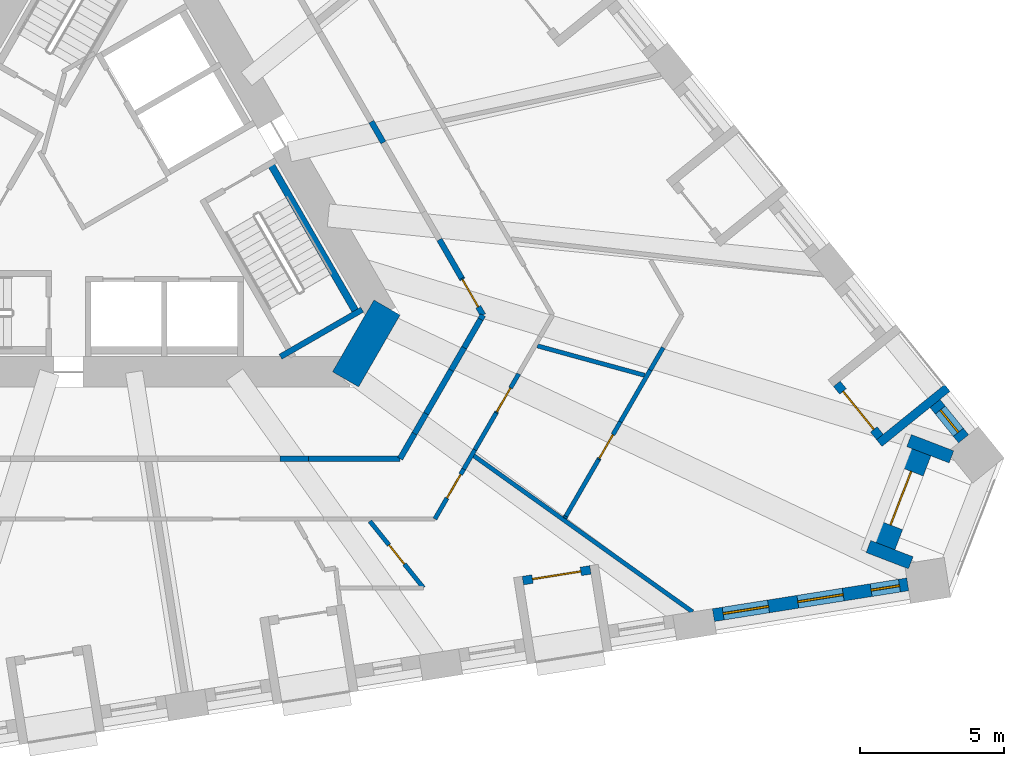
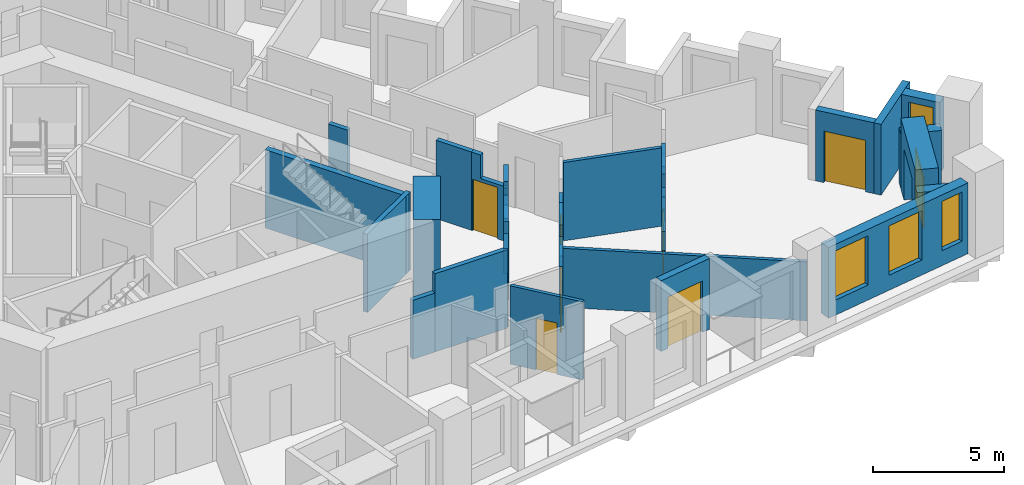
# One storey, part 6 of 14: 34 walls, 8 doors, 4 windows, 12 openings.
"""IFC4 building model written with IfcOpenShell, lengths in metres."""

from ifc_helpers import new_model, si_unit, direction, frame, frame_2d, origin, place, context, subcontext, project, spatial, polyline, rectangle, outline, extrude, material, layer, layer_set, type_object, element, fill, save


model = new_model("IFC4")

# Units and contexts
model_context = context("Model", 3, precision=1e-05, world=origin(), true_north=direction((0.0, 1.0)))
body_context = subcontext(model_context, "Body", "Model", "MODEL_VIEW")
ifc_project = project(units=[si_unit("LENGTHUNIT", "METRE"), si_unit("AREAUNIT", "SQUARE_METRE"), si_unit("VOLUMEUNIT", "CUBIC_METRE"), si_unit("PLANEANGLEUNIT", "RADIAN"), si_unit("MASSUNIT", "GRAM", prefix="KILO")], contexts=[model_context])

# Site, building, storey
site_placement = place(None, origin())
site = spatial("IfcSite", under=ifc_project, at=site_placement, CompositionType="ELEMENT")
building_placement = place(site_placement, origin())
building = spatial("IfcBuilding", under=site, at=building_placement, Name="Tramontana Tower", CompositionType="ELEMENT")
storey_placement = place(building_placement, frame((0.0, 0.0, 59.199951171875)))
storey = spatial("IfcBuildingStorey", under=building, at=storey_placement, Name="L12", CompositionType="ELEMENT", Elevation=59.199951171875)

# Walls
ifc_material_1 = material(Name="Concrete 70 MPa", Category="concrete")
ifc_layer_1 = layer(ifc_material_1, 1.050048828125)
ifc_layer_set_1 = layer_set([ifc_layer_1], Name="Core wall 1050 70 MPa")
wall_type_1 = type_object("IfcWallType", Name="Core wall 1050 70 MPa", PredefinedType="SHEAR", material=ifc_layer_set_1)
wall_1_placement = place(storey_placement, frame((8.349853515625, -6.487548828125, 0.0), z_axis=(0.0, 0.0, 1.0), x_axis=(0.499995765644, 0.866027848477, 0.0)))
element("IfcWall", 1, at=wall_1_placement, inside=storey, type_object=wall_type_1, Name="Core wall C4 L12", PredefinedType="SHEAR", context=body_context, shape_type="SweptSolid", body=[
    extrude(rectangle(XDim=2.88671875, YDim=1.050048828125, at=frame_2d((1.443359375, 0.0))), origin(), (0.0, 0.0, 1.0), 4.0),
])
ifc_material_2 = material(Name="Blockwork", Category="masonry")
ifc_layer_2 = layer(ifc_material_2, 0.199951171875)
ifc_layer_set_2 = layer_set([ifc_layer_2], Name="ENTRY WALL 200")
wall_type_2 = type_object("IfcWallType", Name="ENTRY WALL 200", PredefinedType="SOLIDWALL", material=ifc_layer_set_2)
wall_2_placement = place(storey_placement, frame((9.248046875, 2.48193359375, 0.0), z_axis=(0.0, 0.0, 1.0), x_axis=(0.500117447933, -0.865957584569, 0.0)))
element("IfcWall", 2, at=wall_2_placement, inside=storey, type_object=wall_type_2, Name="Wall v10-ew0-5", PredefinedType="SOLIDWALL", context=body_context, shape_type="SweptSolid", body=[
    extrude(rectangle(XDim=0.838134765625, YDim=0.199951171875, at=frame_2d((0.4189453125, 0.0))), origin(), (0.0, 0.0, 1.0), 2.75),
])
wall_3_placement = place(storey_placement, frame((11.618408203125, -1.623779296875, 0.0), z_axis=(0.0, 0.0, 1.0), x_axis=(0.50011257031, -0.86596040153, 0.0)))
element("IfcWall", 3, at=wall_3_placement, inside=storey, type_object=wall_type_2, Name="Wall v10-ew0-8", PredefinedType="SOLIDWALL", context=body_context, shape_type="SweptSolid", body=[
    extrude(rectangle(XDim=1.552978515625, YDim=0.199951171875, at=frame_2d((0.7763671875, 0.0))), origin(), (0.0, 0.0, 1.0), 3.650146484375),
])

# Wall, opening, door
wall_4_placement = place(storey_placement, frame((12.39501953125, -2.968505859375, 0.0), z_axis=(0.0, 0.0, 1.0), x_axis=(0.499936694431, -0.866061950187, 0.0)))
wall_4 = element("IfcWall", 4, at=wall_4_placement, inside=storey, type_object=wall_type_2, Name="Wall v10-ew0-9", PredefinedType="SOLIDWALL", context=body_context, shape_type="SweptSolid", body=[
    extrude(outline(polyline([(0.0, 0.0), (1.479736328125, 0.0), (1.4794921875, 2.550048828125), (0.4091796875, 2.550048828125), (0.4091796875, 3.650146484375), (0.0, 3.650146484375), (0.0, 0.0)])), frame((0.0, 0.10009765625, 0.0), z_axis=(0.0, -1.0, 0.0), x_axis=(1.0, 0.0, 0.0)), (0.0, 0.0, 1.0), 0.199951171875),
])
opening_1_placement = place(wall_4_placement, frame((0.050048828125, 0.0, 0.0)))
opening_1 = element("IfcOpeningElement", 5, at=opening_1_placement, cuts=wall_4, Name="Opening B1A-30", PredefinedType="OPENING", context=body_context, shape_type="SweptSolid", body=[
    extrude(rectangle(XDim=1.10009765625, YDim=2.39990234375, at=frame_2d((0.550048828125, 1.199951171875))), frame((0.0, 0.10986328125, 0.0), z_axis=(0.0, -1.0, 0.0), x_axis=(1.0, 0.0, 0.0)), (0.0, 0.0, 1.0), 0.219970703125),
])
ifc_material_3 = material(Name="Painted timber", Category="wood")
door_type_1 = type_object("IfcDoorType", Name="DOOR ENTRY 1100", OperationType="SINGLE_SWING_LEFT", PredefinedType="DOOR", material=ifc_material_3)
door_1_placement = place(opening_1_placement, origin())
door_1 = element("IfcDoor", 6, at=door_1_placement, inside=storey, type_object=door_type_1, Name="Door B1A-30", OperationType="SINGLE_SWING_RIGHT", OverallHeight=2.39990234375, OverallWidth=1.10009765625, PredefinedType="DOOR", context=body_context, shape_type="SweptSolid", body=[
    extrude(rectangle(XDim=1.10009765625, YDim=2.39990234375, at=frame_2d((0.550048828125, 1.199951171875))), frame((0.0, 0.02490234375, 0.0), z_axis=(0.0, -1.0, 0.0), x_axis=(1.0, 0.0, 0.0)), (0.0, 0.0, 1.0), 0.050048828125),
])
fill(opening_1, door_1)

# Walls
wall_5_placement = place(storey_placement, frame((13.134765625, -4.25, 0.0), z_axis=(0.0, 0.0, 1.0), x_axis=(-0.500586455622, -0.865686548612, 0.0)))
element("IfcWall", 7, at=wall_5_placement, inside=storey, type_object=wall_type_2, Name="Wall v10-ew1-0", PredefinedType="SOLIDWALL", context=body_context, shape_type="SweptSolid", body=[
    extrude(rectangle(XDim=0.171142578125, YDim=0.199951171875, at=frame_2d((0.08544921875, 0.0))), origin(), (0.0, 0.0, 1.0), 2.550048828125),
])
wall_6_placement = place(storey_placement, frame((13.049072265625, -4.398193359375, 0.0), z_axis=(0.0, 0.0, 1.0), x_axis=(-0.499889102667, -0.866089420923, 0.0)))
element("IfcWall", 8, at=wall_6_placement, inside=storey, type_object=wall_type_2, Name="Wall v10-ew1-1", PredefinedType="SOLIDWALL", context=body_context, shape_type="SweptSolid", body=[
    extrude(rectangle(XDim=1.141357421875, YDim=0.199951171875, at=frame_2d((0.57080078125, 0.0))), origin(), (0.0, 0.0, 1.0), 3.650146484375),
])
wall_7_placement = place(storey_placement, frame((12.478515625, -5.38671875, 0.0), z_axis=(0.0, 0.0, 1.0), x_axis=(-0.500151474942, -0.865937932021, 0.0)))
element("IfcWall", 9, at=wall_7_placement, inside=storey, type_object=wall_type_2, Name="Wall v10-ew1-2", PredefinedType="SOLIDWALL", context=body_context, shape_type="SweptSolid", body=[
    extrude(rectangle(XDim=0.903076171875, YDim=0.199951171875, at=frame_2d((0.45166015625, 0.0))), origin(), (0.0, 0.0, 1.0), 2.550048828125),
])
wall_8_placement = place(storey_placement, frame((12.02685546875, -6.168701171875, 0.0), z_axis=(0.0, 0.0, 1.0), x_axis=(-0.499900037626, -0.866083109396, 0.0)))
element("IfcWall", 10, at=wall_8_placement, inside=storey, type_object=wall_type_2, Name="Wall v10-ew1-3", PredefinedType="SOLIDWALL", context=body_context, shape_type="SweptSolid", body=[
    extrude(rectangle(XDim=1.745361328125, YDim=0.199951171875, at=frame_2d((0.87255859375, 0.0))), origin(), (0.0, 0.0, 1.0), 3.650146484375),
])
wall_9_placement = place(storey_placement, frame((11.154296875, -7.680419921875, 0.0), z_axis=(0.0, 0.0, 1.0), x_axis=(-0.500151261923, -0.865938055058, 0.0)))
element("IfcWall", 11, at=wall_9_placement, inside=storey, type_object=wall_type_2, Name="Wall v10-ew1-4", PredefinedType="SOLIDWALL", context=body_context, shape_type="SweptSolid", body=[
    extrude(rectangle(XDim=0.804931640625, YDim=0.199951171875, at=frame_2d((0.40234375, 0.0))), origin(), (0.0, 0.0, 1.0), 2.75),
])
wall_10_placement = place(storey_placement, frame((10.751708984375, -8.37744140625, 0.0), z_axis=(0.0, 0.0, 1.0), x_axis=(-0.499918237861, -0.866072604031, 0.0)))
element("IfcWall", 12, at=wall_10_placement, inside=storey, type_object=wall_type_2, Name="Wall v10-ew1-5", PredefinedType="SOLIDWALL", context=body_context, shape_type="SweptSolid", body=[
    extrude(rectangle(XDim=1.007568359375, YDim=0.199951171875, at=frame_2d((0.50390625, 0.0))), origin(), (0.0, 0.0, 1.0), 3.650146484375),
])
wall_11_placement = place(storey_placement, frame((10.248046875, -9.25, 0.0), z_axis=(0.0, 0.0, 1.0), x_axis=(-1.0, 0.0, 0.0)))
element("IfcWall", 13, at=wall_11_placement, inside=storey, type_object=wall_type_2, Name="Wall v10-ew2-0", PredefinedType="SOLIDWALL", context=body_context, shape_type="SweptSolid", body=[
    extrude(rectangle(XDim=3.190673828125, YDim=0.199951171875, at=frame_2d((1.59521484375, 0.0))), origin(), (0.0, 0.0, 1.0), 3.650146484375),
])
wall_12_placement = place(storey_placement, frame((7.057373046875, -9.25, 0.0), z_axis=(0.0, 0.0, 1.0), x_axis=(-1.0, 0.0, 0.0)))
element("IfcWall", 14, at=wall_12_placement, inside=storey, type_object=wall_type_2, Name="Wall v10-ew2-1", PredefinedType="SOLIDWALL", context=body_context, shape_type="SweptSolid", body=[
    extrude(rectangle(XDim=0.981201171875, YDim=0.199951171875, at=frame_2d((0.49072265625, 0.0))), origin(), (0.0, 0.0, 1.0), 2.75),
])

# Wall, openings, windows
ifc_material_4 = material(Name="Precast concrete 60 MPa", Category="concrete")
ifc_layer_3 = layer(ifc_material_4, 0.449951171875)
ifc_layer_set_3 = layer_set([ifc_layer_3], Name="Precast concrete 60 MPa, 450 mm")
wall_type_3 = type_object("IfcWallType", Name="EW1 Stone-faced precast wall 450", PredefinedType="SOLIDWALL", material=ifc_layer_set_3)
wall_13_placement = place(storey_placement, frame((21.1572265625, -14.6962890625, 0.0), z_axis=(0.0, 0.0, 1.0), x_axis=(0.987685675151, 0.156451293065, 0.0)))
wall_13 = element("IfcWall", 15, at=wall_13_placement, inside=storey, type_object=wall_type_3, Name="External wall L12 face 1 bay 6", PredefinedType="SOLIDWALL", context=body_context, shape_type="SweptSolid", body=[
    extrude(rectangle(XDim=6.848876953125, YDim=0.449951171875, at=frame_2d((3.42431640625, 0.0))), origin(), (0.0, 0.0, 1.0), 3.300048828125),
])
opening_2_placement = place(wall_13_placement, frame((0.341552734375, 0.0, 0.699951171875)))
opening_2 = element("IfcOpeningElement", 16, at=opening_2_placement, cuts=wall_13, Name="Opening M1", PredefinedType="OPENING", context=body_context, shape_type="SweptSolid", body=[
    extrude(rectangle(XDim=1.60009765625, YDim=2.300048828125, at=frame_2d((0.800048828125, 1.14990234375))), frame((0.0, 0.23486328125, 0.0), z_axis=(0.0, -1.0, 0.0), x_axis=(1.0, 0.0, 0.0)), (0.0, 0.0, 1.0), 0.469970703125),
])
opening_3_placement = place(wall_13_placement, frame((2.974365234375, 0.0, 0.699951171875)))
opening_3 = element("IfcOpeningElement", 17, at=opening_3_placement, cuts=wall_13, Name="Opening M1", PredefinedType="OPENING", context=body_context, shape_type="SweptSolid", body=[
    extrude(rectangle(XDim=1.60009765625, YDim=2.300048828125, at=frame_2d((0.800048828125, 1.14990234375))), frame((0.0, 0.23486328125, 0.0), z_axis=(0.0, -1.0, 0.0), x_axis=(1.0, 0.0, 0.0)), (0.0, 0.0, 1.0), 0.469970703125),
])
opening_4_placement = place(wall_13_placement, frame((5.557373046875, 0.0, 0.699951171875)))
opening_4 = element("IfcOpeningElement", 18, at=opening_4_placement, cuts=wall_13, Name="Opening N1", PredefinedType="OPENING", context=body_context, shape_type="SweptSolid", body=[
    extrude(rectangle(XDim=1.0, YDim=2.300048828125, at=frame_2d((0.5, 1.14990234375))), frame((0.0, 0.23486328125, 0.0), z_axis=(0.0, -1.0, 0.0), x_axis=(1.0, 0.0, 0.0)), (0.0, 0.0, 1.0), 0.469970703125),
])
ifc_material_5 = material(Name="Aluminum frame, double glazing unit", Category="aluminium")
window_type_1 = type_object("IfcWindowType", Name="M1 Window 1.6 x 2.3", PartitioningType="SINGLE_PANEL", PredefinedType="WINDOW", material=ifc_material_5)
window_1_placement = place(opening_2_placement, origin())
window_1 = element("IfcWindow", 19, at=window_1_placement, inside=storey, type_object=window_type_1, Name="Window M1 L12 face 1 module 16", OverallHeight=2.300048828125, OverallWidth=1.60009765625, PartitioningType="SINGLE_PANEL", PredefinedType="WINDOW", context=body_context, shape_type="SweptSolid", body=[
    extrude(rectangle(XDim=1.60009765625, YDim=2.300048828125, at=frame_2d((0.800048828125, 1.14990234375))), frame((0.0, 0.030029296875, 0.0), z_axis=(0.0, -1.0, 0.0), x_axis=(1.0, 0.0, 0.0)), (0.0, 0.0, 1.0), 0.06005859375),
])
fill(opening_2, window_1)
window_2_placement = place(opening_3_placement, origin())
window_2 = element("IfcWindow", 20, at=window_2_placement, inside=storey, type_object=window_type_1, Name="Window M1 L12 face 1 module 17", OverallHeight=2.300048828125, OverallWidth=1.60009765625, PartitioningType="SINGLE_PANEL", PredefinedType="WINDOW", context=body_context, shape_type="SweptSolid", body=[
    extrude(rectangle(XDim=1.60009765625, YDim=2.300048828125, at=frame_2d((0.800048828125, 1.14990234375))), frame((0.0, 0.030029296875, 0.0), z_axis=(0.0, -1.0, 0.0), x_axis=(1.0, 0.0, 0.0)), (0.0, 0.0, 1.0), 0.06005859375),
])
fill(opening_3, window_2)
ifc_material_6 = material(Name="Aluminum frame, double glazing unit", Category="aluminium")
window_type_2 = type_object("IfcWindowType", Name="N1 Window 1 x 2.3", PartitioningType="SINGLE_PANEL", PredefinedType="WINDOW", material=ifc_material_6)
window_3_placement = place(opening_4_placement, origin())
window_3 = element("IfcWindow", 21, at=window_3_placement, inside=storey, type_object=window_type_2, Name="Window N1 L12 face 1 module 18", OverallHeight=2.300048828125, OverallWidth=1.0, PartitioningType="SINGLE_PANEL", PredefinedType="WINDOW", context=body_context, shape_type="SweptSolid", body=[
    extrude(rectangle(XDim=1.0, YDim=2.300048828125, at=frame_2d((0.5, 1.14990234375))), frame((0.0, 0.030029296875, 0.0), z_axis=(0.0, -1.0, 0.0), x_axis=(1.0, 0.0, 0.0)), (0.0, 0.0, 1.0), 0.06005859375),
])
fill(opening_4, window_3)

# Wall, opening, window
wall_14_placement = place(storey_placement, frame((29.86669921875, -8.558349609375, 0.0), z_axis=(0.0, 0.0, 1.0), x_axis=(-0.629273652342, 0.77718380739, 0.0)))
wall_14 = element("IfcWall", 22, at=wall_14_placement, inside=storey, type_object=wall_type_3, Name="External wall L12 face 2 bay 1", PredefinedType="SOLIDWALL", context=body_context, shape_type="SweptSolid", body=[
    extrude(rectangle(XDim=1.5830078125, YDim=0.449951171875, at=frame_2d((0.79150390625, 0.0))), origin(), (0.0, 0.0, 1.0), 3.300048828125),
])
opening_5_placement = place(wall_14_placement, frame((0.29150390625, 0.0, 0.699951171875)))
opening_5 = element("IfcOpeningElement", 23, at=opening_5_placement, cuts=wall_14, Name="Opening N1", PredefinedType="OPENING", context=body_context, shape_type="SweptSolid", body=[
    extrude(rectangle(XDim=1.0, YDim=2.300048828125, at=frame_2d((0.5, 1.14990234375))), frame((0.0, 0.23486328125, 0.0), z_axis=(0.0, -1.0, 0.0), x_axis=(1.0, 0.0, 0.0)), (0.0, 0.0, 1.0), 0.469970703125),
])
window_4_placement = place(opening_5_placement, origin())
window_4 = element("IfcWindow", 24, at=window_4_placement, inside=storey, type_object=window_type_2, Name="Window N1 L12 face 2 module 1", OverallHeight=2.300048828125, OverallWidth=1.0, PartitioningType="SINGLE_PANEL", PredefinedType="WINDOW", context=body_context, shape_type="SweptSolid", body=[
    extrude(rectangle(XDim=1.0, YDim=2.300048828125, at=frame_2d((0.5, 1.14990234375))), frame((0.0, 0.030029296875, 0.0), z_axis=(0.0, -1.0, 0.0), x_axis=(1.0, 0.0, 0.0)), (0.0, 0.0, 1.0), 0.06005859375),
])
fill(opening_5, window_4)

# Walls
for number, where, z_axis, x_axis, name in (
    (25, (29.442626953125, -9.1865234375, 0.0), (0.0, 0.0, 1.0), (-0.93358843832, 0.358347077335, 0.0), "Corner loggia side wall L12 K12l"),
    (26, (28.027099609375, -12.8740234375, 0.0), (0.0, 0.0, 1.0), (-0.93358843832, 0.358347077335, 0.0), "Corner loggia side wall L12 K12r"),
):
    element("IfcWall", number, at=place(storey_placement, frame(where, z_axis=z_axis, x_axis=x_axis)), inside=storey, type_object=wall_type_3, Name=name, PredefinedType="SOLIDWALL", context=body_context, shape_type="SweptSolid", body=[
        extrude(rectangle(XDim=1.579345703125, YDim=0.449951171875, at=frame_2d((0.78955078125, 0.0))), origin(), (0.0, 0.0, 1.0), 2.550048828125),
    ])

# Wall, opening, door
ifc_material_7 = material(Name="Precast concrete 60 MPa", Category="concrete")
ifc_layer_4 = layer(ifc_material_7, 0.89990234375)
ifc_layer_set_4 = layer_set([ifc_layer_4], Name="EW2 Stone-faced corner loggia wall 900")
wall_type_4 = type_object("IfcWallType", Name="EW2 Stone-faced corner loggia wall 900", PredefinedType="SOLIDWALL", material=ifc_layer_set_4)
wall_15_placement = place(storey_placement, frame((28.307861328125, -8.991943359375, 0.0), z_axis=(0.0, 0.0, 1.0), x_axis=(-0.35841340332, -0.933562977158, 0.0)))
wall_15 = element("IfcWall", 27, at=wall_15_placement, inside=storey, type_object=wall_type_4, Name="Corner loggia wall L12 K12", PredefinedType="SOLIDWALL", context=body_context, shape_type="SweptSolid", body=[
    extrude(rectangle(XDim=3.499755859375, YDim=0.89990234375, at=frame_2d((1.75, 0.0))), origin(), (0.0, 0.0, 1.0), 3.300048828125),
])
opening_6_placement = place(wall_15_placement, frame((0.75, 0.0, 0.0)))
opening_6 = element("IfcOpeningElement", 28, at=opening_6_placement, cuts=wall_15, Name="Opening BD-12C", PredefinedType="OPENING", context=body_context, shape_type="SweptSolid", body=[
    extrude(rectangle(XDim=2.0, YDim=2.39990234375, at=frame_2d((1.0, 1.199951171875))), frame((0.0, 0.4599609375, 0.0), z_axis=(0.0, -1.0, 0.0), x_axis=(1.0, 0.0, 0.0)), (0.0, 0.0, 1.0), 0.919921875),
])
ifc_material_8 = material(Name="Aluminum frame, double glazing unit", Category="aluminium")
door_type_2 = type_object("IfcDoorType", Name="BC1 Sliding door 2 x 2.4", OperationType="SLIDING_TO_LEFT", PredefinedType="DOOR", material=ifc_material_8)
door_2_placement = place(opening_6_placement, origin())
door_2 = element("IfcDoor", 29, at=door_2_placement, inside=storey, type_object=door_type_2, Name="Corner loggia door L12 K12", OperationType="SLIDING_TO_LEFT", OverallHeight=2.39990234375, OverallWidth=2.0, PredefinedType="DOOR", context=body_context, shape_type="SweptSolid", body=[
    extrude(rectangle(XDim=2.0, YDim=2.39990234375, at=frame_2d((1.0, 1.199951171875))), frame((0.0, 0.02490234375, 0.0), z_axis=(0.0, -1.0, 0.0), x_axis=(1.0, 0.0, 0.0)), (0.0, 0.0, 1.0), 0.050048828125),
])
fill(opening_6, door_2)

ifc_material_9 = material(Name="Precast concrete 60 MPa", Category="concrete")
ifc_layer_5 = layer(ifc_material_9, 0.300048828125)
ifc_layer_set_5 = layer_set([ifc_layer_5], Name="LW1 Stone-faced loggia wall 300")
wall_type_5 = type_object("IfcWallType", Name="LW1 Stone-faced loggia wall 300", PredefinedType="SOLIDWALL", material=ifc_layer_set_5)
wall_16_placement = place(storey_placement, frame((14.521728515625, -13.494384765625, 0.0), z_axis=(0.0, 0.0, 1.0), x_axis=(0.987685586014, 0.156451855793, 0.0)))
wall_16 = element("IfcWall", 30, at=wall_16_placement, inside=storey, type_object=wall_type_5, Name="Loggia wall L12 G1S1.13", PredefinedType="SOLIDWALL", context=body_context, shape_type="SweptSolid", body=[
    extrude(rectangle(XDim=2.3828125, YDim=0.300048828125, at=frame_2d((1.19140625, 0.0))), origin(), (0.0, 0.0, 1.0), 3.300048828125),
])
opening_7_placement = place(wall_16_placement, frame((0.341552734375, 0.0, 0.0)))
opening_7 = element("IfcOpeningElement", 31, at=opening_7_placement, cuts=wall_16, Name="Opening BD-1S1-13", PredefinedType="OPENING", context=body_context, shape_type="SweptSolid", body=[
    extrude(rectangle(XDim=1.699951171875, YDim=2.39990234375, at=frame_2d((0.85009765625, 1.199951171875))), frame((0.0, 0.159912109375, 0.0), z_axis=(0.0, -1.0, 0.0), x_axis=(1.0, 0.0, 0.0)), (0.0, 0.0, 1.0), 0.320068359375),
])
ifc_material_10 = material(Name="Aluminum frame, double glazing unit", Category="aluminium")
door_type_3 = type_object("IfcDoorType", Name="BD1 Sliding door 1.7 x 2.4", OperationType="SLIDING_TO_LEFT", PredefinedType="DOOR", material=ifc_material_10)
door_3_placement = place(opening_7_placement, origin())
door_3 = element("IfcDoor", 32, at=door_3_placement, inside=storey, type_object=door_type_3, Name="Loggia door L12 G1S1.13", OperationType="SLIDING_TO_LEFT", OverallHeight=2.39990234375, OverallWidth=1.699951171875, PredefinedType="DOOR", context=body_context, shape_type="SweptSolid", body=[
    extrude(rectangle(XDim=1.699951171875, YDim=2.39990234375, at=frame_2d((0.85009765625, 1.199951171875))), frame((0.0, 0.02490234375, 0.0), z_axis=(0.0, -1.0, 0.0), x_axis=(1.0, 0.0, 0.0)), (0.0, 0.0, 1.0), 0.050048828125),
])
fill(opening_7, door_3)

wall_17_placement = place(storey_placement, frame((26.95263671875, -8.4951171875, 0.0), z_axis=(0.0, 0.0, 1.0), x_axis=(-0.62930727886, 0.777156579316, 0.0)))
wall_17 = element("IfcWall", 33, at=wall_17_placement, inside=storey, type_object=wall_type_5, Name="Loggia wall L12 G1S2.1", PredefinedType="SOLIDWALL", context=body_context, shape_type="SweptSolid", body=[
    extrude(rectangle(XDim=2.3828125, YDim=0.300048828125, at=frame_2d((1.19140625, 0.0))), origin(), (0.0, 0.0, 1.0), 3.300048828125),
])
opening_8_placement = place(wall_17_placement, frame((0.341552734375, 0.0, 0.0)))
opening_8 = element("IfcOpeningElement", 34, at=opening_8_placement, cuts=wall_17, Name="Opening BD-1S2-01", PredefinedType="OPENING", context=body_context, shape_type="SweptSolid", body=[
    extrude(rectangle(XDim=1.699951171875, YDim=2.39990234375, at=frame_2d((0.85009765625, 1.199951171875))), frame((0.0, 0.159912109375, 0.0), z_axis=(0.0, -1.0, 0.0), x_axis=(1.0, 0.0, 0.0)), (0.0, 0.0, 1.0), 0.320068359375),
])
door_4_placement = place(opening_8_placement, origin())
door_4 = element("IfcDoor", 35, at=door_4_placement, inside=storey, type_object=door_type_3, Name="Loggia door L12 G1S2.1", OperationType="SLIDING_TO_LEFT", OverallHeight=2.39990234375, OverallWidth=1.699951171875, PredefinedType="DOOR", context=body_context, shape_type="SweptSolid", body=[
    extrude(rectangle(XDim=1.699951171875, YDim=2.39990234375, at=frame_2d((0.85009765625, 1.199951171875))), frame((0.0, 0.02490234375, 0.0), z_axis=(0.0, -1.0, 0.0), x_axis=(1.0, 0.0, 0.0)), (0.0, 0.0, 1.0), 0.050048828125),
])
fill(opening_8, door_4)

# Wall
wall_18_placement = place(storey_placement, frame((29.30078125, -6.78662109375, 0.0), z_axis=(0.0, 0.0, 1.0), x_axis=(-0.777153523895, -0.629311052102, 0.0)))
element("IfcWall", 36, at=wall_18_placement, inside=storey, type_object=wall_type_5, Name="Loggia return L12 G1S2.1a", PredefinedType="SOLIDWALL", context=body_context, shape_type="SweptSolid", body=[
    extrude(rectangle(XDim=3.050048828125, YDim=0.300048828125, at=frame_2d((1.52490234375, 0.0))), origin(), (0.0, 0.0, 1.0), 3.300048828125),
])

# Wall, opening, door
ifc_material_11 = material(Name="Gypsum board partition")
ifc_layer_6 = layer(ifc_material_11, 0.14990234375)
ifc_layer_set_6 = layer_set([ifc_layer_6], Name="PARTITION 150")
wall_type_6 = type_object("IfcWallType", Name="PARTITION 150", PredefinedType="PARTITIONING", material=ifc_layer_set_6)
wall_19_placement = place(storey_placement, frame((11.0625, -13.7451171875, 0.0), z_axis=(0.0, 0.0, 1.0), x_axis=(-0.626992412451, 0.779025362057, 0.0)))
wall_19 = element("IfcWall", 37, at=wall_19_placement, inside=storey, type_object=wall_type_6, Name="Wall v10-pw32", PredefinedType="PARTITIONING", context=body_context, shape_type="SweptSolid", body=[
    extrude(rectangle(XDim=2.977294921875, YDim=0.14990234375, at=frame_2d((1.48876953125, 0.0))), origin(), (0.0, 0.0, 1.0), 3.650146484375),
])
opening_9_placement = place(wall_19_placement, frame((1.0634765625, 0.0, 0.0)))
opening_9 = element("IfcOpeningElement", 38, at=opening_9_placement, cuts=wall_19, Name="Opening B1A-25", PredefinedType="OPENING", context=body_context, shape_type="SweptSolid", body=[
    extrude(rectangle(XDim=0.85009765625, YDim=2.39990234375, at=frame_2d((0.425048828125, 1.199951171875))), frame((0.0, 0.0849609375, 0.0), z_axis=(0.0, -1.0, 0.0), x_axis=(1.0, 0.0, 0.0)), (0.0, 0.0, 1.0), 0.169921875),
])
ifc_material_12 = material(Name="Painted timber", Category="wood")
door_type_4 = type_object("IfcDoorType", Name="DOOR BATH 850", OperationType="SINGLE_SWING_LEFT", PredefinedType="DOOR", material=ifc_material_12)
door_5_placement = place(opening_9_placement, origin())
door_5 = element("IfcDoor", 39, at=door_5_placement, inside=storey, type_object=door_type_4, Name="Door B1A-25", OperationType="SINGLE_SWING_LEFT", OverallHeight=2.39990234375, OverallWidth=0.85009765625, PredefinedType="DOOR", context=body_context, shape_type="SweptSolid", body=[
    extrude(rectangle(XDim=0.85009765625, YDim=2.39990234375, at=frame_2d((0.425048828125, 1.199951171875))), frame((0.0, 0.02490234375, 0.0), z_axis=(0.0, -1.0, 0.0), x_axis=(1.0, 0.0, 0.0)), (0.0, 0.0, 1.0), 0.050048828125),
])
fill(opening_9, door_5)

# Wall
wall_20_placement = place(storey_placement, frame((15.02783203125, -5.32177734375, 0.0), z_axis=(0.0, 0.0, 1.0), x_axis=(0.964256110782, -0.26497198497, 0.0)))
element("IfcWall", 40, at=wall_20_placement, inside=storey, type_object=wall_type_6, Name="Wall v10-pw39", PredefinedType="PARTITIONING", context=body_context, shape_type="SweptSolid", body=[
    extrude(rectangle(XDim=3.875244140625, YDim=0.14990234375, at=frame_2d((1.9375, 0.0))), origin(), (0.0, 0.0, 1.0), 3.650146484375),
])

# Wall, opening, door
wall_21_placement = place(storey_placement, frame((14.378173828125, -6.296142578125, 0.0), z_axis=(0.0, 0.0, 1.0), x_axis=(-0.499946456463, -0.866056314953, 0.0)))
wall_21 = element("IfcWall", 41, at=wall_21_placement, inside=storey, type_object=wall_type_6, Name="Wall v10-pw40-2", PredefinedType="PARTITIONING", context=body_context, shape_type="SweptSolid", body=[
    extrude(outline(polyline([(0.0, 0.0), (1.572509765625, 0.0), (1.572265625, 3.650146484375), (0.8779296875, 3.650146484375), (0.8779296875, 2.550048828125), (0.0, 2.550048828125), (0.0, 0.0)])), frame((0.0, 0.074951171875, 0.0), z_axis=(0.0, -1.0, 0.0), x_axis=(1.0, 0.0, 0.0)), (0.0, 0.0, 1.0), 0.14990234375),
])
opening_10_placement = place(wall_21_placement, frame((0.572265625, 0.0, 0.0)))
opening_10 = element("IfcOpeningElement", 42, at=opening_10_placement, cuts=wall_21, Name="Opening B1A-19", PredefinedType="OPENING", context=body_context, shape_type="SweptSolid", body=[
    extrude(rectangle(XDim=0.949951171875, YDim=2.39990234375, at=frame_2d((0.47509765625, 1.199951171875))), frame((0.0, 0.0849609375, 0.0), z_axis=(0.0, -1.0, 0.0), x_axis=(1.0, 0.0, 0.0)), (0.0, 0.0, 1.0), 0.169921875),
])
ifc_material_13 = material(Name="Painted timber", Category="wood")
door_type_5 = type_object("IfcDoorType", Name="DOOR ROOM 950", OperationType="SINGLE_SWING_LEFT", PredefinedType="DOOR", material=ifc_material_13)
door_6_placement = place(opening_10_placement, origin())
door_6 = element("IfcDoor", 43, at=door_6_placement, inside=storey, type_object=door_type_5, Name="Door B1A-19", OperationType="SINGLE_SWING_LEFT", OverallHeight=2.39990234375, OverallWidth=0.949951171875, PredefinedType="DOOR", context=body_context, shape_type="SweptSolid", body=[
    extrude(rectangle(XDim=0.949951171875, YDim=2.39990234375, at=frame_2d((0.47509765625, 1.199951171875))), frame((0.0, 0.02490234375, 0.0), z_axis=(0.0, -1.0, 0.0), x_axis=(1.0, 0.0, 0.0)), (0.0, 0.0, 1.0), 0.050048828125),
])
fill(opening_10, door_6)

# Walls
wall_22_placement = place(storey_placement, frame((13.592041015625, -7.657958984375, 0.0), z_axis=(0.0, 0.0, 1.0), x_axis=(-0.49996987118, -0.866042797968, 0.0)))
element("IfcWall", 44, at=wall_22_placement, inside=storey, type_object=wall_type_6, Name="Wall v10-pw40-3", PredefinedType="PARTITIONING", context=body_context, shape_type="SweptSolid", body=[
    extrude(rectangle(XDim=1.48046875, YDim=0.14990234375, at=frame_2d((0.740234375, 0.0))), origin(), (0.0, 0.0, 1.0), 3.650146484375),
])
wall_23_placement = place(storey_placement, frame((12.851806640625, -8.940185546875, 0.0), z_axis=(0.0, 0.0, 1.0), x_axis=(-0.500011542666, -0.866018739521, 0.0)))
element("IfcWall", 45, at=wall_23_placement, inside=storey, type_object=wall_type_6, Name="Wall v10-pw40-4", PredefinedType="PARTITIONING", context=body_context, shape_type="SweptSolid", body=[
    extrude(rectangle(XDim=0.77978515625, YDim=0.14990234375, at=frame_2d((0.389892578125, 0.0))), origin(), (0.0, 0.0, 1.0), 2.75),
])

# Wall, opening, door
wall_24_placement = place(storey_placement, frame((12.4619140625, -9.615478515625, 0.0), z_axis=(0.0, 0.0, 1.0), x_axis=(-0.499993265928, -0.866029291668, 0.0)))
wall_24 = element("IfcWall", 46, at=wall_24_placement, inside=storey, type_object=wall_type_6, Name="Wall v10-pw40-5", PredefinedType="PARTITIONING", context=body_context, shape_type="SweptSolid", body=[
    extrude(rectangle(XDim=2.0029296875, YDim=0.14990234375, at=frame_2d((1.00146484375, 0.0))), origin(), (0.0, 0.0, 1.0), 3.650146484375),
])
opening_11_placement = place(wall_24_placement, frame((0.210693359375, 0.0, 0.0)))
opening_11 = element("IfcOpeningElement", 47, at=opening_11_placement, cuts=wall_24, Name="Opening B1A-21", PredefinedType="OPENING", context=body_context, shape_type="SweptSolid", body=[
    extrude(rectangle(XDim=0.949951171875, YDim=2.39990234375, at=frame_2d((0.47509765625, 1.199951171875))), frame((0.0, 0.0849609375, 0.0), z_axis=(0.0, -1.0, 0.0), x_axis=(1.0, 0.0, 0.0)), (0.0, 0.0, 1.0), 0.169921875),
])
door_7_placement = place(opening_11_placement, origin())
door_7 = element("IfcDoor", 48, at=door_7_placement, inside=storey, type_object=door_type_5, Name="Door B1A-21", OperationType="SINGLE_SWING_LEFT", OverallHeight=2.39990234375, OverallWidth=0.949951171875, PredefinedType="DOOR", context=body_context, shape_type="SweptSolid", body=[
    extrude(rectangle(XDim=0.949951171875, YDim=2.39990234375, at=frame_2d((0.47509765625, 1.199951171875))), frame((0.0, 0.02490234375, 0.0), z_axis=(0.0, -1.0, 0.0), x_axis=(1.0, 0.0, 0.0)), (0.0, 0.0, 1.0), 0.050048828125),
])
fill(opening_11, door_7)

# Walls
wall_25_placement = place(storey_placement, frame((19.4072265625, -5.385498046875, 0.0), z_axis=(0.0, 0.0, 1.0), x_axis=(-0.499965372359, -0.866045395139, 0.0)))
element("IfcWall", 49, at=wall_25_placement, inside=storey, type_object=wall_type_6, Name="Wall v10-pw42-1", PredefinedType="PARTITIONING", context=body_context, shape_type="SweptSolid", body=[
    extrude(rectangle(XDim=0.89892578125, YDim=0.14990234375, at=frame_2d((0.449462890625, 0.0))), origin(), (0.0, 0.0, 1.0), 2.550048828125),
])
wall_26_placement = place(storey_placement, frame((18.957763671875, -6.1640625, 0.0), z_axis=(0.0, 0.0, 1.0), x_axis=(-0.499939227269, -0.866060488094, 0.0)))
element("IfcWall", 50, at=wall_26_placement, inside=storey, type_object=wall_type_6, Name="Wall v10-pw42-2", PredefinedType="PARTITIONING", context=body_context, shape_type="SweptSolid", body=[
    extrude(rectangle(XDim=2.079833984375, YDim=0.14990234375, at=frame_2d((1.0400390625, 0.0))), origin(), (0.0, 0.0, 1.0), 3.650146484375),
])

# Wall, opening, door
wall_27_placement = place(storey_placement, frame((17.91796875, -7.96533203125, 0.0), z_axis=(0.0, 0.0, 1.0), x_axis=(-0.500047204294, -0.865998148658, 0.0)))
wall_27 = element("IfcWall", 51, at=wall_27_placement, inside=storey, type_object=wall_type_6, Name="Wall v10-pw42-3", PredefinedType="PARTITIONING", context=body_context, shape_type="SweptSolid", body=[
    extrude(outline(polyline([(0.0, 0.0), (1.518310546875, 0.0), (1.518310546875, 3.650146484375), (0.8779296875, 3.650146484375), (0.8779296875, 2.550048828125), (0.0, 2.550048828125), (0.0, 0.0)])), frame((0.0, 0.074951171875, 0.0), z_axis=(0.0, -1.0, 0.0), x_axis=(1.0, 0.0, 0.0)), (0.0, 0.0, 1.0), 0.14990234375),
])
opening_12_placement = place(wall_27_placement, frame((0.518310546875, 0.0, 0.0)))
opening_12 = element("IfcOpeningElement", 52, at=opening_12_placement, cuts=wall_27, Name="Opening B1A-27", PredefinedType="OPENING", context=body_context, shape_type="SweptSolid", body=[
    extrude(rectangle(XDim=0.949951171875, YDim=2.39990234375, at=frame_2d((0.47509765625, 1.199951171875))), frame((0.0, 0.0849609375, 0.0), z_axis=(0.0, -1.0, 0.0), x_axis=(1.0, 0.0, 0.0)), (0.0, 0.0, 1.0), 0.169921875),
])
door_8_placement = place(opening_12_placement, origin())
door_8 = element("IfcDoor", 53, at=door_8_placement, inside=storey, type_object=door_type_5, Name="Door B1A-27", OperationType="SINGLE_SWING_LEFT", OverallHeight=2.39990234375, OverallWidth=0.949951171875, PredefinedType="DOOR", context=body_context, shape_type="SweptSolid", body=[
    extrude(rectangle(XDim=0.949951171875, YDim=2.39990234375, at=frame_2d((0.47509765625, 1.199951171875))), frame((0.0, 0.02490234375, 0.0), z_axis=(0.0, -1.0, 0.0), x_axis=(1.0, 0.0, 0.0)), (0.0, 0.0, 1.0), 0.050048828125),
])
fill(opening_12, door_8)

# Walls
wall_28_placement = place(storey_placement, frame((17.15869140625, -9.2802734375, 0.0), z_axis=(0.0, 0.0, 1.0), x_axis=(-0.499987504325, -0.866032618045, 0.0)))
element("IfcWall", 54, at=wall_28_placement, inside=storey, type_object=wall_type_6, Name="Wall v10-pw42-4", PredefinedType="PARTITIONING", context=body_context, shape_type="SweptSolid", body=[
    extrude(rectangle(XDim=2.28564453125, YDim=0.14990234375, at=frame_2d((1.142822265625, 0.0))), origin(), (0.0, 0.0, 1.0), 3.650146484375),
])
wall_29_placement = place(storey_placement, frame((16.015869140625, -11.259765625, 0.0), z_axis=(0.0, 0.0, 1.0), x_axis=(-0.498541023162, -0.866866107438, 0.0)))
element("IfcWall", 55, at=wall_29_placement, inside=storey, type_object=wall_type_6, Name="Wall v10-pw42-5", PredefinedType="PARTITIONING", context=body_context, shape_type="SweptSolid", body=[
    extrude(rectangle(XDim=0.065673828125, YDim=0.14990234375, at=frame_2d((0.03271484375, 0.0))), origin(), (0.0, 0.0, 1.0), 2.75),
])
wall_30_placement = place(storey_placement, frame((20.4306640625, -14.58349609375, 0.0), z_axis=(0.0, 0.0, 1.0), x_axis=(-0.813913318796, 0.580986324699, 0.0)))
element("IfcWall", 56, at=wall_30_placement, inside=storey, type_object=wall_type_6, Name="Wall v10-pw43-0", PredefinedType="PARTITIONING", context=body_context, shape_type="SweptSolid", body=[
    extrude(rectangle(XDim=9.353515625, YDim=0.14990234375, at=frame_2d((4.6767578125, 0.0))), origin(), (0.0, 0.0, 1.0), 2.75),
])
ifc_material_14 = material(Name="Concrete 70 MPa", Category="concrete")
ifc_layer_7 = layer(ifc_material_14, 0.25)
ifc_layer_set_7 = layer_set([ifc_layer_7], Name="Concrete 70 MPa, 250 mm")
wall_type_7 = type_object("IfcWallType", Name="RC SHAFT BACK WALL 250", PredefinedType="SOLIDWALL", material=ifc_layer_set_7)
wall_31_placement = place(storey_placement, frame((8.781494140625, -4.260009765625, 0.0), z_axis=(0.0, 0.0, 1.0), x_axis=(-0.500009909098, 0.866019682689, 0.0)))
element("IfcWall", 57, at=wall_31_placement, inside=storey, type_object=wall_type_7, Name="Wall st3-back", PredefinedType="SOLIDWALL", context=body_context, shape_type="SweptSolid", body=[
    extrude(rectangle(XDim=6.199951171875, YDim=0.25, at=frame_2d((3.10009765625, 0.0))), origin(), (0.0, 0.0, 1.0), 3.650146484375),
])
ifc_material_15 = material(Name="Concrete 70 MPa", Category="concrete")
ifc_layer_8 = layer(ifc_material_15, 0.199951171875)
ifc_layer_set_8 = layer_set([ifc_layer_8], Name="Concrete 70 MPa, 200 mm")
wall_type_8 = type_object("IfcWallType", Name="RC STAIR AND SHAFT WALL 200", PredefinedType="SOLIDWALL", material=ifc_layer_set_8)
wall_32_placement = place(storey_placement, frame((6.08740234375, -5.699951171875, 0.0), z_axis=(0.0, 0.0, 1.0), x_axis=(0.866006986733, 0.500031897912, 0.0)))
element("IfcWall", 58, at=wall_32_placement, inside=storey, type_object=wall_type_8, Name="Wall st3-far", PredefinedType="SOLIDWALL", context=body_context, shape_type="SweptSolid", body=[
    extrude(rectangle(XDim=3.278076171875, YDim=0.199951171875, at=frame_2d((1.63916015625, 0.0))), origin(), (0.0, 0.0, 1.0), 3.650146484375),
])

save(model, "model.ifc")
